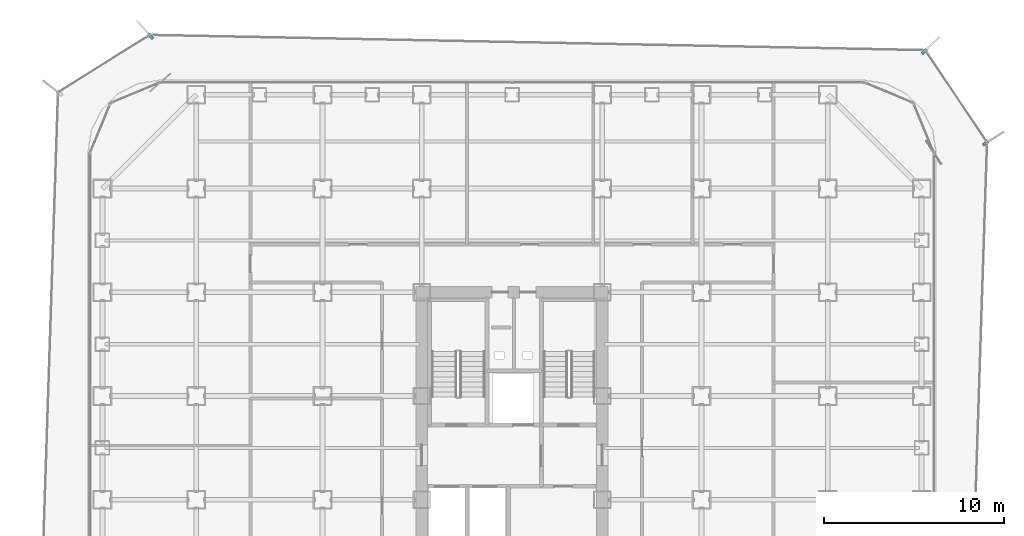
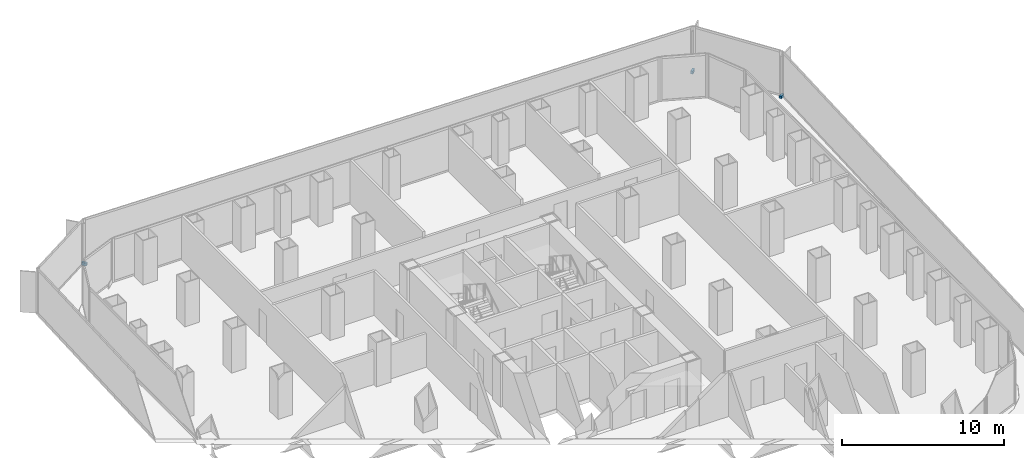
# One storey, part 19 of 22: 3 discrete accessories.
"""IFC4 building model written with IfcOpenShell, lengths in metres."""

from ifc_helpers import new_model, si_unit, direction, frame, origin, origin_2d, place, context, subcontext, project, spatial, rectangle, extrude, source, transform, mapped, material, type_object, element, save


model = new_model("IFC4")

# Units and contexts
model_context = context("Model", 3, precision=1e-05, world=origin(), true_north=direction((0.0, 1.0)))
body_context = subcontext(model_context, "Body", "Model", "MODEL_VIEW")
ifc_project = project(units=[si_unit("LENGTHUNIT", "METRE"), si_unit("AREAUNIT", "SQUARE_METRE"), si_unit("VOLUMEUNIT", "CUBIC_METRE"), si_unit("PLANEANGLEUNIT", "RADIAN"), si_unit("MASSUNIT", "GRAM", prefix="KILO")], contexts=[model_context])

# Site, building, storey
site_placement = place(None, origin())
site = spatial("IfcSite", under=ifc_project, at=site_placement, CompositionType="ELEMENT")
building_placement = place(site_placement, origin())
building = spatial("IfcBuilding", under=site, at=building_placement, Name="Kolveth Station Tower", CompositionType="ELEMENT")
storey_placement = place(building_placement, frame((0.0, 0.0, 51.300048828125)))
storey = spatial("IfcBuildingStorey", under=building, at=storey_placement, Name="L13", CompositionType="ELEMENT", Elevation=51.300048828125)

# Discrete accessories
ifc_material = material(Name="Steel S355", Category="steel")
discrete_accessory_type = type_object("IfcDiscreteAccessoryType", Name="Bracket_BK1", PredefinedType="BRACKET", material=ifc_material)
shared_shape = source(origin(), body_context, "Body", "SweptSolid", [
    extrude(rectangle(XDim=0.35009765625, YDim=0.159912109375, at=origin_2d()), origin(), (0.0, 0.0, 1.0), 0.219970703125),
])
for number, where, z_axis, x_axis, name in (
    (1, (49.7490234375, 37.010986328125, -0.06005859375), (0.0, 0.0, 1.0), (0.842828324641, 0.538182511035, 0.0), "L13 Double-Skin Radial Tie Bracket 3"),
    (2, (46.342041015625, 42.093017578125, -0.06005859375), (0.0, 0.0, 1.0), (0.722725938412, 0.691134732122, 0.0), "L13 Double-Skin Radial Tie Bracket 4"),
    (3, (3.48291015625, 42.929931640625, -0.06005859375), (0.0, 0.0, 1.0), (-0.661704531892, 0.74976470474, 0.0), "L13 Double-Skin Radial Tie Bracket 5"),
):
    element("IfcDiscreteAccessory", number, at=place(storey_placement, frame(where, z_axis=z_axis, x_axis=x_axis)), inside=storey, type_object=discrete_accessory_type, Name=name, PredefinedType="BRACKET", context=body_context, shape_type="MappedRepresentation", body=[
        mapped(shared_shape, transform((0.0, 0.0, 0.0), x_axis=(1.0, 0.0, 0.0), y_axis=(0.0, 1.0, 0.0), z_axis=(0.0, 0.0, 1.0), scale=1.0)),
    ])

save(model, "model.ifc")
